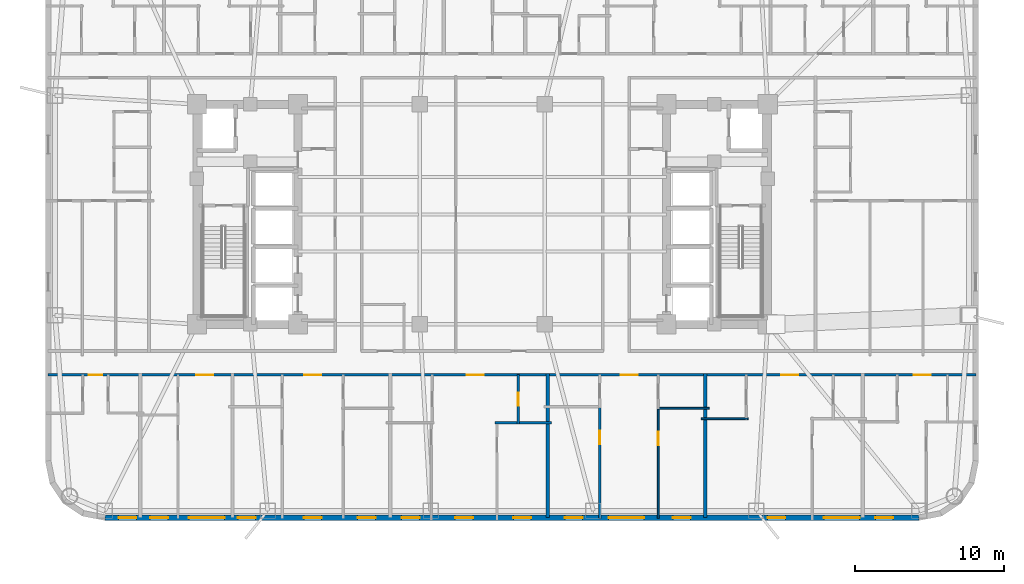
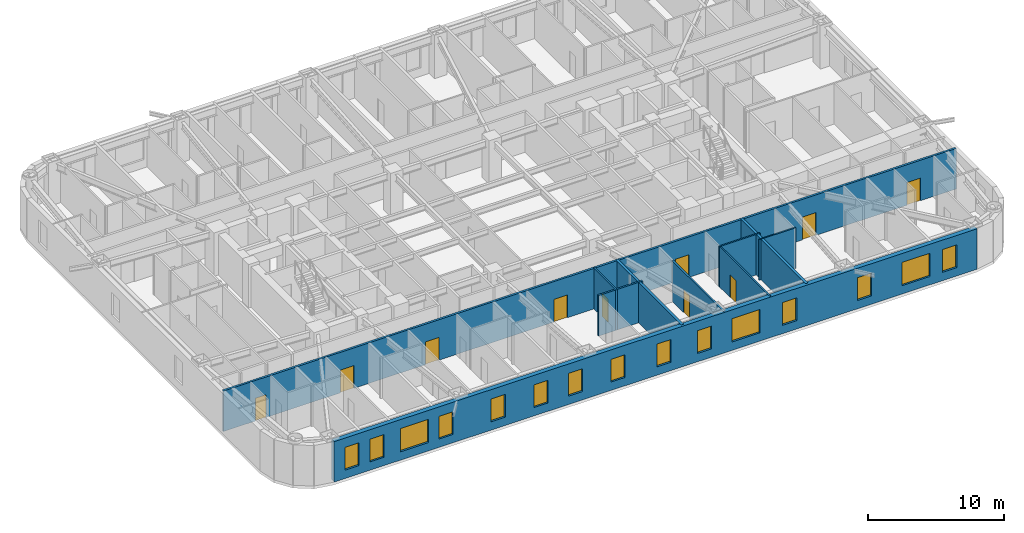
# One storey, part 5 of 12: 15 windows, 10 doors, 10 walls, 25 openings.
"""IFC4 building model written with IfcOpenShell, lengths in metres."""

from ifc_helpers import new_model, si_unit, direction, frame, frame_2d, origin, place, context, subcontext, project, spatial, rectangle, extrude, material, layer, layer_set, type_object, element, fill, save


model = new_model("IFC4")

# Units and contexts
model_context = context("Model", 3, precision=1e-05, world=origin(), true_north=direction((0.0, 1.0)))
body_context = subcontext(model_context, "Body", "Model", "MODEL_VIEW")
ifc_project = project(units=[si_unit("LENGTHUNIT", "METRE"), si_unit("AREAUNIT", "SQUARE_METRE"), si_unit("VOLUMEUNIT", "CUBIC_METRE"), si_unit("PLANEANGLEUNIT", "RADIAN"), si_unit("MASSUNIT", "GRAM", prefix="KILO")], contexts=[model_context])

# Site, building, storey
site_placement = place(None, origin())
site = spatial("IfcSite", under=ifc_project, at=site_placement, CompositionType="ELEMENT")
building_placement = place(site_placement, origin())
building = spatial("IfcBuilding", under=site, at=building_placement, Name="Voryun Gate Residences", CompositionType="ELEMENT")
storey_placement = place(building_placement, frame((0.0, 0.0, 109.199951171875)))
storey = spatial("IfcBuildingStorey", under=building, at=storey_placement, Name="L26", CompositionType="ELEMENT", Elevation=109.199951171875)

# Wall, openings, doors
ifc_material_1 = material(Name="Gypsum acoustic fireboard")
ifc_layer_1 = layer(ifc_material_1, 0.179931640625, Name="W_CORR_RATED_180")
ifc_layer_set_1 = layer_set([ifc_layer_1], Name="Gypsum acoustic fireboard")
wall_type_1 = type_object("IfcWallType", Name="W_CORR_RATED_180", PredefinedType="PARTITIONING", material=ifc_layer_set_1)
wall_1_placement = place(storey_placement, frame((-29.2099609375, -10.800048828125, 0.0), z_axis=(0.0, 0.0, 1.0), x_axis=(1.0, 0.0, 0.0)))
wall_1 = element("IfcWall", 1, at=wall_1_placement, inside=storey, type_object=wall_type_1, Name="Partition wall WP-L26-SCORR", PredefinedType="PARTITIONING", context=body_context, shape_type="SweptSolid", body=[
    extrude(rectangle(XDim=62.419921875, YDim=0.179931640625, at=frame_2d((31.2099609375, 0.0))), origin(), (0.0, 0.0, 1.0), 3.650146484375),
])
opening_1_placement = place(wall_1_placement, frame((2.73974609375, 0.0, 0.0)))
opening_1 = element("IfcOpeningElement", 2, at=opening_1_placement, cuts=wall_1, Name="Opening D-INT-2", PredefinedType="OPENING", context=body_context, shape_type="SweptSolid", body=[
    extrude(rectangle(XDim=0.89990234375, YDim=2.050048828125, at=frame_2d((0.449951171875, 1.02490234375))), frame((0.0, 0.099853515625, 0.0), z_axis=(0.0, -1.0, 0.0), x_axis=(1.0, 0.0, 0.0)), (0.0, 0.0, 1.0), 0.199951171875),
])
opening_2_placement = place(wall_1_placement, frame((9.9677734375, 0.0, 0.0)))
opening_2 = element("IfcOpeningElement", 3, at=opening_2_placement, cuts=wall_1, Name="Opening D-UNIT-1", PredefinedType="OPENING", context=body_context, shape_type="SweptSolid", body=[
    extrude(rectangle(XDim=1.14990234375, YDim=2.050048828125, at=frame_2d((0.574951171875, 1.02490234375))), frame((0.0, 0.099853515625, 0.0), z_axis=(0.0, -1.0, 0.0), x_axis=(1.0, 0.0, 0.0)), (0.0, 0.0, 1.0), 0.199951171875),
])
opening_3_placement = place(wall_1_placement, frame((17.227294921875, 0.0, 0.0)))
opening_3 = element("IfcOpeningElement", 4, at=opening_3_placement, cuts=wall_1, Name="Opening D-UNIT-1", PredefinedType="OPENING", context=body_context, shape_type="SweptSolid", body=[
    extrude(rectangle(XDim=1.14990234375, YDim=2.050048828125, at=frame_2d((0.574951171875, 1.02490234375))), frame((0.0, 0.099853515625, 0.0), z_axis=(0.0, -1.0, 0.0), x_axis=(1.0, 0.0, 0.0)), (0.0, 0.0, 1.0), 0.199951171875),
])
opening_4_placement = place(wall_1_placement, frame((28.156982421875, 0.0, 0.0)))
opening_4 = element("IfcOpeningElement", 5, at=opening_4_placement, cuts=wall_1, Name="Opening D-UNIT-1", PredefinedType="OPENING", context=body_context, shape_type="SweptSolid", body=[
    extrude(rectangle(XDim=1.14990234375, YDim=2.050048828125, at=frame_2d((0.574951171875, 1.02490234375))), frame((0.0, 0.099853515625, 0.0), z_axis=(0.0, -1.0, 0.0), x_axis=(1.0, 0.0, 0.0)), (0.0, 0.0, 1.0), 0.199951171875),
])
opening_5_placement = place(wall_1_placement, frame((38.512451171875, 0.0, 0.0)))
opening_5 = element("IfcOpeningElement", 6, at=opening_5_placement, cuts=wall_1, Name="Opening D-UNIT-1", PredefinedType="OPENING", context=body_context, shape_type="SweptSolid", body=[
    extrude(rectangle(XDim=1.14990234375, YDim=2.050048828125, at=frame_2d((0.574951171875, 1.02490234375))), frame((0.0, 0.099853515625, 0.0), z_axis=(0.0, -1.0, 0.0), x_axis=(1.0, 0.0, 0.0)), (0.0, 0.0, 1.0), 0.199951171875),
])
opening_6_placement = place(wall_1_placement, frame((49.329833984375, 0.0, 0.0)))
opening_6 = element("IfcOpeningElement", 7, at=opening_6_placement, cuts=wall_1, Name="Opening D-UNIT-1", PredefinedType="OPENING", context=body_context, shape_type="SweptSolid", body=[
    extrude(rectangle(XDim=1.14990234375, YDim=2.050048828125, at=frame_2d((0.574951171875, 1.02490234375))), frame((0.0, 0.099853515625, 0.0), z_axis=(0.0, -1.0, 0.0), x_axis=(1.0, 0.0, 0.0)), (0.0, 0.0, 1.0), 0.199951171875),
])
opening_7_placement = place(wall_1_placement, frame((58.237060546875, 0.0, 0.0)))
opening_7 = element("IfcOpeningElement", 8, at=opening_7_placement, cuts=wall_1, Name="Opening D-UNIT-1", PredefinedType="OPENING", context=body_context, shape_type="SweptSolid", body=[
    extrude(rectangle(XDim=1.14990234375, YDim=2.050048828125, at=frame_2d((0.574951171875, 1.02490234375))), frame((0.0, 0.099853515625, 0.0), z_axis=(0.0, -1.0, 0.0), x_axis=(1.0, 0.0, 0.0)), (0.0, 0.0, 1.0), 0.199951171875),
])
ifc_material_2 = material(Name="Architectural oak veneer")
door_type_1 = type_object("IfcDoorType", Name="DR_INT_BATH_900", OperationType="NOTDEFINED", PredefinedType="DOOR", material=ifc_material_2)
door_1_placement = place(opening_1_placement, origin())
door_1 = element("IfcDoor", 9, at=door_1_placement, inside=storey, type_object=door_type_1, Name="Door DR-L26-SENT-1", OperationType="SINGLE_SWING_RIGHT", OverallHeight=2.050048828125, OverallWidth=0.89990234375, PredefinedType="DOOR", context=body_context, shape_type="SweptSolid", body=[
    extrude(rectangle(XDim=0.89990234375, YDim=2.050048828125, at=frame_2d((0.449951171875, 1.02490234375))), frame((0.0, 0.02490234375, 0.0), z_axis=(0.0, -1.0, 0.0), x_axis=(1.0, 0.0, 0.0)), (0.0, 0.0, 1.0), 0.050048828125),
])
fill(opening_1, door_1)
ifc_material_3 = material(Name="Armoured timber-clad fire door", Category="wood")
door_type_2 = type_object("IfcDoorType", Name="DR_UNIT_ENTRY_1150", OperationType="NOTDEFINED", PredefinedType="DOOR", material=ifc_material_3)
door_2_placement = place(opening_2_placement, origin())
door_2 = element("IfcDoor", 10, at=door_2_placement, inside=storey, type_object=door_type_2, Name="Door DR-L26-SENT-2", OperationType="SINGLE_SWING_LEFT", OverallHeight=2.050048828125, OverallWidth=1.14990234375, PredefinedType="DOOR", context=body_context, shape_type="SweptSolid", body=[
    extrude(rectangle(XDim=1.14990234375, YDim=2.050048828125, at=frame_2d((0.574951171875, 1.02490234375))), frame((0.0, 0.02490234375, 0.0), z_axis=(0.0, -1.0, 0.0), x_axis=(1.0, 0.0, 0.0)), (0.0, 0.0, 1.0), 0.050048828125),
])
fill(opening_2, door_2)
door_3_placement = place(opening_3_placement, origin())
door_3 = element("IfcDoor", 11, at=door_3_placement, inside=storey, type_object=door_type_2, Name="Door DR-L26-SENT-3", OperationType="SINGLE_SWING_RIGHT", OverallHeight=2.050048828125, OverallWidth=1.14990234375, PredefinedType="DOOR", context=body_context, shape_type="SweptSolid", body=[
    extrude(rectangle(XDim=1.14990234375, YDim=2.050048828125, at=frame_2d((0.574951171875, 1.02490234375))), frame((0.0, 0.02490234375, 0.0), z_axis=(0.0, -1.0, 0.0), x_axis=(1.0, 0.0, 0.0)), (0.0, 0.0, 1.0), 0.050048828125),
])
fill(opening_3, door_3)
door_4_placement = place(opening_4_placement, origin())
door_4 = element("IfcDoor", 12, at=door_4_placement, inside=storey, type_object=door_type_2, Name="Door DR-L26-SENT-4", OperationType="SINGLE_SWING_LEFT", OverallHeight=2.050048828125, OverallWidth=1.14990234375, PredefinedType="DOOR", context=body_context, shape_type="SweptSolid", body=[
    extrude(rectangle(XDim=1.14990234375, YDim=2.050048828125, at=frame_2d((0.574951171875, 1.02490234375))), frame((0.0, 0.02490234375, 0.0), z_axis=(0.0, -1.0, 0.0), x_axis=(1.0, 0.0, 0.0)), (0.0, 0.0, 1.0), 0.050048828125),
])
fill(opening_4, door_4)
door_5_placement = place(opening_5_placement, origin())
door_5 = element("IfcDoor", 13, at=door_5_placement, inside=storey, type_object=door_type_2, Name="Door DR-L26-SENT-5", OperationType="SINGLE_SWING_RIGHT", OverallHeight=2.050048828125, OverallWidth=1.14990234375, PredefinedType="DOOR", context=body_context, shape_type="SweptSolid", body=[
    extrude(rectangle(XDim=1.14990234375, YDim=2.050048828125, at=frame_2d((0.574951171875, 1.02490234375))), frame((0.0, 0.02490234375, 0.0), z_axis=(0.0, -1.0, 0.0), x_axis=(1.0, 0.0, 0.0)), (0.0, 0.0, 1.0), 0.050048828125),
])
fill(opening_5, door_5)
door_6_placement = place(opening_6_placement, origin())
door_6 = element("IfcDoor", 14, at=door_6_placement, inside=storey, type_object=door_type_2, Name="Door DR-L26-SENT-6", OperationType="SINGLE_SWING_LEFT", OverallHeight=2.050048828125, OverallWidth=1.14990234375, PredefinedType="DOOR", context=body_context, shape_type="SweptSolid", body=[
    extrude(rectangle(XDim=1.14990234375, YDim=2.050048828125, at=frame_2d((0.574951171875, 1.02490234375))), frame((0.0, 0.02490234375, 0.0), z_axis=(0.0, -1.0, 0.0), x_axis=(1.0, 0.0, 0.0)), (0.0, 0.0, 1.0), 0.050048828125),
])
fill(opening_6, door_6)
door_7_placement = place(opening_7_placement, origin())
door_7 = element("IfcDoor", 15, at=door_7_placement, inside=storey, type_object=door_type_2, Name="Door DR-L26-SENT-7", OperationType="SINGLE_SWING_RIGHT", OverallHeight=2.050048828125, OverallWidth=1.14990234375, PredefinedType="DOOR", context=body_context, shape_type="SweptSolid", body=[
    extrude(rectangle(XDim=1.14990234375, YDim=2.050048828125, at=frame_2d((0.574951171875, 1.02490234375))), frame((0.0, 0.02490234375, 0.0), z_axis=(0.0, -1.0, 0.0), x_axis=(1.0, 0.0, 0.0)), (0.0, 0.0, 1.0), 0.050048828125),
])
fill(opening_7, door_7)

# Wall, openings, windows
ifc_material_4 = material(Name="Granite masonry", Category="masonry")
ifc_layer_2 = layer(ifc_material_4, 0.3798828125, Name="W_EXT_GRANITE_380")
ifc_layer_set_2 = layer_set([ifc_layer_2], Name="Granite masonry")
wall_type_2 = type_object("IfcWallType", Name="W_EXT_GRANITE_380", PredefinedType="ELEMENTEDWALL", material=ifc_layer_set_2)
wall_2_placement = place(storey_placement, frame((29.38134765625, -20.409912109375, 0.0), z_axis=(0.0, 0.0, 1.0), x_axis=(-1.0, 0.0, 0.0)))
wall_2 = element("IfcWall", 16, at=wall_2_placement, inside=storey, type_object=wall_type_2, Name="Exterior wall WEXT-L26-01", PredefinedType="ELEMENTEDWALL", context=body_context, shape_type="SweptSolid", body=[
    extrude(rectangle(XDim=54.7626953125, YDim=0.3798828125, at=frame_2d((27.38134765625, 0.0))), origin(), (0.0, 0.0, 1.0), 3.650146484375),
])
opening_8_placement = place(wall_2_placement, frame((3.995361328125, 0.0, 0.75)))
opening_8 = element("IfcOpeningElement", 17, at=opening_8_placement, cuts=wall_2, Name="Opening WN2", PredefinedType="OPENING", context=body_context, shape_type="SweptSolid", body=[
    extrude(rectangle(XDim=2.39990234375, YDim=2.10009765625, at=frame_2d((1.199951171875, 1.050048828125))), frame((0.0, 0.199951171875, 0.0), z_axis=(0.0, -1.0, 0.0), x_axis=(1.0, 0.0, 0.0)), (0.0, 0.0, 1.0), 0.39990234375),
])
opening_9_placement = place(wall_2_placement, frame((18.486083984375, 0.0, 0.75)))
opening_9 = element("IfcOpeningElement", 18, at=opening_9_placement, cuts=wall_2, Name="Opening WN2", PredefinedType="OPENING", context=body_context, shape_type="SweptSolid", body=[
    extrude(rectangle(XDim=2.39990234375, YDim=2.10009765625, at=frame_2d((1.199951171875, 1.050048828125))), frame((0.0, 0.199951171875, 0.0), z_axis=(0.0, -1.0, 0.0), x_axis=(1.0, 0.0, 0.0)), (0.0, 0.0, 1.0), 0.39990234375),
])
opening_10_placement = place(wall_2_placement, frame((46.71728515625, 0.0, 0.75)))
opening_10 = element("IfcOpeningElement", 19, at=opening_10_placement, cuts=wall_2, Name="Opening WN2", PredefinedType="OPENING", context=body_context, shape_type="SweptSolid", body=[
    extrude(rectangle(XDim=2.39990234375, YDim=2.10009765625, at=frame_2d((1.199951171875, 1.050048828125))), frame((0.0, 0.199951171875, 0.0), z_axis=(0.0, -1.0, 0.0), x_axis=(1.0, 0.0, 0.0)), (0.0, 0.0, 1.0), 0.39990234375),
])
opening_11_placement = place(wall_2_placement, frame((52.6513671875, 0.0, 0.75)))
opening_11 = element("IfcOpeningElement", 20, at=opening_11_placement, cuts=wall_2, Name="Opening WN6", PredefinedType="OPENING", context=body_context, shape_type="SweptSolid", body=[
    extrude(rectangle(XDim=1.199951171875, YDim=2.050048828125, at=frame_2d((0.60009765625, 1.02490234375))), frame((0.0, 0.199951171875, 0.0), z_axis=(0.0, -1.0, 0.0), x_axis=(1.0, 0.0, 0.0)), (0.0, 0.0, 1.0), 0.39990234375),
])
opening_12_placement = place(wall_2_placement, frame((50.521240234375, 0.0, 0.75)))
opening_12 = element("IfcOpeningElement", 21, at=opening_12_placement, cuts=wall_2, Name="Opening WN6", PredefinedType="OPENING", context=body_context, shape_type="SweptSolid", body=[
    extrude(rectangle(XDim=1.199951171875, YDim=2.050048828125, at=frame_2d((0.60009765625, 1.02490234375))), frame((0.0, 0.199951171875, 0.0), z_axis=(0.0, -1.0, 0.0), x_axis=(1.0, 0.0, 0.0)), (0.0, 0.0, 1.0), 0.39990234375),
])
opening_13_placement = place(wall_2_placement, frame((40.19140625, 0.0, 0.75)))
opening_13 = element("IfcOpeningElement", 22, at=opening_13_placement, cuts=wall_2, Name="Opening WN6", PredefinedType="OPENING", context=body_context, shape_type="SweptSolid", body=[
    extrude(rectangle(XDim=1.199951171875, YDim=2.050048828125, at=frame_2d((0.60009765625, 1.02490234375))), frame((0.0, 0.199951171875, 0.0), z_axis=(0.0, -1.0, 0.0), x_axis=(1.0, 0.0, 0.0)), (0.0, 0.0, 1.0), 0.39990234375),
])
opening_14_placement = place(wall_2_placement, frame((44.63134765625, 0.0, 0.75)))
opening_14 = element("IfcOpeningElement", 23, at=opening_14_placement, cuts=wall_2, Name="Opening WN6", PredefinedType="OPENING", context=body_context, shape_type="SweptSolid", body=[
    extrude(rectangle(XDim=1.199951171875, YDim=2.050048828125, at=frame_2d((0.60009765625, 1.02490234375))), frame((0.0, 0.199951171875, 0.0), z_axis=(0.0, -1.0, 0.0), x_axis=(1.0, 0.0, 0.0)), (0.0, 0.0, 1.0), 0.39990234375),
])
opening_15_placement = place(wall_2_placement, frame((36.561279296875, 0.0, 0.75)))
opening_15 = element("IfcOpeningElement", 24, at=opening_15_placement, cuts=wall_2, Name="Opening WN6", PredefinedType="OPENING", context=body_context, shape_type="SweptSolid", body=[
    extrude(rectangle(XDim=1.199951171875, YDim=2.050048828125, at=frame_2d((0.60009765625, 1.02490234375))), frame((0.0, 0.199951171875, 0.0), z_axis=(0.0, -1.0, 0.0), x_axis=(1.0, 0.0, 0.0)), (0.0, 0.0, 1.0), 0.39990234375),
])
opening_16_placement = place(wall_2_placement, frame((30.00439453125, 0.0, 0.75)))
opening_16 = element("IfcOpeningElement", 25, at=opening_16_placement, cuts=wall_2, Name="Opening WN6", PredefinedType="OPENING", context=body_context, shape_type="SweptSolid", body=[
    extrude(rectangle(XDim=1.199951171875, YDim=2.050048828125, at=frame_2d((0.60009765625, 1.02490234375))), frame((0.0, 0.199951171875, 0.0), z_axis=(0.0, -1.0, 0.0), x_axis=(1.0, 0.0, 0.0)), (0.0, 0.0, 1.0), 0.39990234375),
])
opening_17_placement = place(wall_2_placement, frame((33.599365234375, 0.0, 0.75)))
opening_17 = element("IfcOpeningElement", 26, at=opening_17_placement, cuts=wall_2, Name="Opening WN6", PredefinedType="OPENING", context=body_context, shape_type="SweptSolid", body=[
    extrude(rectangle(XDim=1.199951171875, YDim=2.050048828125, at=frame_2d((0.60009765625, 1.02490234375))), frame((0.0, 0.199951171875, 0.0), z_axis=(0.0, -1.0, 0.0), x_axis=(1.0, 0.0, 0.0)), (0.0, 0.0, 1.0), 0.39990234375),
])
opening_18_placement = place(wall_2_placement, frame((26.086181640625, 0.0, 0.75)))
opening_18 = element("IfcOpeningElement", 27, at=opening_18_placement, cuts=wall_2, Name="Opening WN6", PredefinedType="OPENING", context=body_context, shape_type="SweptSolid", body=[
    extrude(rectangle(XDim=1.199951171875, YDim=2.050048828125, at=frame_2d((0.60009765625, 1.02490234375))), frame((0.0, 0.199951171875, 0.0), z_axis=(0.0, -1.0, 0.0), x_axis=(1.0, 0.0, 0.0)), (0.0, 0.0, 1.0), 0.39990234375),
])
opening_19_placement = place(wall_2_placement, frame((22.626220703125, 0.0, 0.75)))
opening_19 = element("IfcOpeningElement", 28, at=opening_19_placement, cuts=wall_2, Name="Opening WN6", PredefinedType="OPENING", context=body_context, shape_type="SweptSolid", body=[
    extrude(rectangle(XDim=1.199951171875, YDim=2.050048828125, at=frame_2d((0.60009765625, 1.02490234375))), frame((0.0, 0.199951171875, 0.0), z_axis=(0.0, -1.0, 0.0), x_axis=(1.0, 0.0, 0.0)), (0.0, 0.0, 1.0), 0.39990234375),
])
opening_20_placement = place(wall_2_placement, frame((15.361328125, 0.0, 0.75)))
opening_20 = element("IfcOpeningElement", 29, at=opening_20_placement, cuts=wall_2, Name="Opening WN6", PredefinedType="OPENING", context=body_context, shape_type="SweptSolid", body=[
    extrude(rectangle(XDim=1.199951171875, YDim=2.050048828125, at=frame_2d((0.60009765625, 1.02490234375))), frame((0.0, 0.199951171875, 0.0), z_axis=(0.0, -1.0, 0.0), x_axis=(1.0, 0.0, 0.0)), (0.0, 0.0, 1.0), 0.39990234375),
])
opening_21_placement = place(wall_2_placement, frame((8.986328125, 0.0, 0.75)))
opening_21 = element("IfcOpeningElement", 30, at=opening_21_placement, cuts=wall_2, Name="Opening WN6", PredefinedType="OPENING", context=body_context, shape_type="SweptSolid", body=[
    extrude(rectangle(XDim=1.199951171875, YDim=2.050048828125, at=frame_2d((0.60009765625, 1.02490234375))), frame((0.0, 0.199951171875, 0.0), z_axis=(0.0, -1.0, 0.0), x_axis=(1.0, 0.0, 0.0)), (0.0, 0.0, 1.0), 0.39990234375),
])
opening_22_placement = place(wall_2_placement, frame((1.735595703125, 0.0, 0.75)))
opening_22 = element("IfcOpeningElement", 31, at=opening_22_placement, cuts=wall_2, Name="Opening WN6", PredefinedType="OPENING", context=body_context, shape_type="SweptSolid", body=[
    extrude(rectangle(XDim=1.199951171875, YDim=2.050048828125, at=frame_2d((0.60009765625, 1.02490234375))), frame((0.0, 0.199951171875, 0.0), z_axis=(0.0, -1.0, 0.0), x_axis=(1.0, 0.0, 0.0)), (0.0, 0.0, 1.0), 0.39990234375),
])
ifc_material_5 = material(Name="Laminated low-E glass", Category="glass")
window_type_1 = type_object("IfcWindowType", Name="WN_POD_SLOT_1200", PartitioningType="SINGLE_PANEL", PredefinedType="WINDOW", material=ifc_material_5)
window_1_placement = place(opening_11_placement, origin())
window_1 = element("IfcWindow", 32, at=window_1_placement, inside=storey, type_object=window_type_1, Name="Window WN-L26-DWFIX-17", OverallHeight=2.050048828125, OverallWidth=1.199951171875, PartitioningType="SINGLE_PANEL", PredefinedType="WINDOW", context=body_context, shape_type="SweptSolid", body=[
    extrude(rectangle(XDim=1.199951171875, YDim=2.050048828125, at=frame_2d((0.60009765625, 1.02490234375))), frame((0.0, 0.030029296875, 0.0), z_axis=(0.0, -1.0, 0.0), x_axis=(1.0, 0.0, 0.0)), (0.0, 0.0, 1.0), 0.06005859375),
])
fill(opening_11, window_1)
window_2_placement = place(opening_12_placement, origin())
window_2 = element("IfcWindow", 33, at=window_2_placement, inside=storey, type_object=window_type_1, Name="Window WN-L26-DWFIX-18", OverallHeight=2.050048828125, OverallWidth=1.199951171875, PartitioningType="SINGLE_PANEL", PredefinedType="WINDOW", context=body_context, shape_type="SweptSolid", body=[
    extrude(rectangle(XDim=1.199951171875, YDim=2.050048828125, at=frame_2d((0.60009765625, 1.02490234375))), frame((0.0, 0.030029296875, 0.0), z_axis=(0.0, -1.0, 0.0), x_axis=(1.0, 0.0, 0.0)), (0.0, 0.0, 1.0), 0.06005859375),
])
fill(opening_12, window_2)
window_3_placement = place(opening_13_placement, origin())
window_3 = element("IfcWindow", 34, at=window_3_placement, inside=storey, type_object=window_type_1, Name="Window WN-L26-DWFIX-19", OverallHeight=2.050048828125, OverallWidth=1.199951171875, PartitioningType="SINGLE_PANEL", PredefinedType="WINDOW", context=body_context, shape_type="SweptSolid", body=[
    extrude(rectangle(XDim=1.199951171875, YDim=2.050048828125, at=frame_2d((0.60009765625, 1.02490234375))), frame((0.0, 0.030029296875, 0.0), z_axis=(0.0, -1.0, 0.0), x_axis=(1.0, 0.0, 0.0)), (0.0, 0.0, 1.0), 0.06005859375),
])
fill(opening_13, window_3)
window_4_placement = place(opening_14_placement, origin())
window_4 = element("IfcWindow", 35, at=window_4_placement, inside=storey, type_object=window_type_1, Name="Window WN-L26-DWFIX-20", OverallHeight=2.050048828125, OverallWidth=1.199951171875, PartitioningType="SINGLE_PANEL", PredefinedType="WINDOW", context=body_context, shape_type="SweptSolid", body=[
    extrude(rectangle(XDim=1.199951171875, YDim=2.050048828125, at=frame_2d((0.60009765625, 1.02490234375))), frame((0.0, 0.030029296875, 0.0), z_axis=(0.0, -1.0, 0.0), x_axis=(1.0, 0.0, 0.0)), (0.0, 0.0, 1.0), 0.06005859375),
])
fill(opening_14, window_4)
window_5_placement = place(opening_15_placement, origin())
window_5 = element("IfcWindow", 36, at=window_5_placement, inside=storey, type_object=window_type_1, Name="Window WN-L26-DWFIX-21", OverallHeight=2.050048828125, OverallWidth=1.199951171875, PartitioningType="SINGLE_PANEL", PredefinedType="WINDOW", context=body_context, shape_type="SweptSolid", body=[
    extrude(rectangle(XDim=1.199951171875, YDim=2.050048828125, at=frame_2d((0.60009765625, 1.02490234375))), frame((0.0, 0.030029296875, 0.0), z_axis=(0.0, -1.0, 0.0), x_axis=(1.0, 0.0, 0.0)), (0.0, 0.0, 1.0), 0.06005859375),
])
fill(opening_15, window_5)
window_6_placement = place(opening_16_placement, origin())
window_6 = element("IfcWindow", 37, at=window_6_placement, inside=storey, type_object=window_type_1, Name="Window WN-L26-DWFIX-22", OverallHeight=2.050048828125, OverallWidth=1.199951171875, PartitioningType="SINGLE_PANEL", PredefinedType="WINDOW", context=body_context, shape_type="SweptSolid", body=[
    extrude(rectangle(XDim=1.199951171875, YDim=2.050048828125, at=frame_2d((0.60009765625, 1.02490234375))), frame((0.0, 0.030029296875, 0.0), z_axis=(0.0, -1.0, 0.0), x_axis=(1.0, 0.0, 0.0)), (0.0, 0.0, 1.0), 0.06005859375),
])
fill(opening_16, window_6)
window_7_placement = place(opening_17_placement, origin())
window_7 = element("IfcWindow", 38, at=window_7_placement, inside=storey, type_object=window_type_1, Name="Window WN-L26-DWFIX-23", OverallHeight=2.050048828125, OverallWidth=1.199951171875, PartitioningType="SINGLE_PANEL", PredefinedType="WINDOW", context=body_context, shape_type="SweptSolid", body=[
    extrude(rectangle(XDim=1.199951171875, YDim=2.050048828125, at=frame_2d((0.60009765625, 1.02490234375))), frame((0.0, 0.030029296875, 0.0), z_axis=(0.0, -1.0, 0.0), x_axis=(1.0, 0.0, 0.0)), (0.0, 0.0, 1.0), 0.06005859375),
])
fill(opening_17, window_7)
window_8_placement = place(opening_18_placement, origin())
window_8 = element("IfcWindow", 39, at=window_8_placement, inside=storey, type_object=window_type_1, Name="Window WN-L26-DWFIX-24", OverallHeight=2.050048828125, OverallWidth=1.199951171875, PartitioningType="SINGLE_PANEL", PredefinedType="WINDOW", context=body_context, shape_type="SweptSolid", body=[
    extrude(rectangle(XDim=1.199951171875, YDim=2.050048828125, at=frame_2d((0.60009765625, 1.02490234375))), frame((0.0, 0.030029296875, 0.0), z_axis=(0.0, -1.0, 0.0), x_axis=(1.0, 0.0, 0.0)), (0.0, 0.0, 1.0), 0.06005859375),
])
fill(opening_18, window_8)
window_9_placement = place(opening_19_placement, origin())
window_9 = element("IfcWindow", 40, at=window_9_placement, inside=storey, type_object=window_type_1, Name="Window WN-L26-DWFIX-25", OverallHeight=2.050048828125, OverallWidth=1.199951171875, PartitioningType="SINGLE_PANEL", PredefinedType="WINDOW", context=body_context, shape_type="SweptSolid", body=[
    extrude(rectangle(XDim=1.199951171875, YDim=2.050048828125, at=frame_2d((0.60009765625, 1.02490234375))), frame((0.0, 0.030029296875, 0.0), z_axis=(0.0, -1.0, 0.0), x_axis=(1.0, 0.0, 0.0)), (0.0, 0.0, 1.0), 0.06005859375),
])
fill(opening_19, window_9)
window_10_placement = place(opening_20_placement, origin())
window_10 = element("IfcWindow", 41, at=window_10_placement, inside=storey, type_object=window_type_1, Name="Window WN-L26-DWFIX-26", OverallHeight=2.050048828125, OverallWidth=1.199951171875, PartitioningType="SINGLE_PANEL", PredefinedType="WINDOW", context=body_context, shape_type="SweptSolid", body=[
    extrude(rectangle(XDim=1.199951171875, YDim=2.050048828125, at=frame_2d((0.60009765625, 1.02490234375))), frame((0.0, 0.030029296875, 0.0), z_axis=(0.0, -1.0, 0.0), x_axis=(1.0, 0.0, 0.0)), (0.0, 0.0, 1.0), 0.06005859375),
])
fill(opening_20, window_10)
window_11_placement = place(opening_21_placement, origin())
window_11 = element("IfcWindow", 42, at=window_11_placement, inside=storey, type_object=window_type_1, Name="Window WN-L26-DWFIX-27", OverallHeight=2.050048828125, OverallWidth=1.199951171875, PartitioningType="SINGLE_PANEL", PredefinedType="WINDOW", context=body_context, shape_type="SweptSolid", body=[
    extrude(rectangle(XDim=1.199951171875, YDim=2.050048828125, at=frame_2d((0.60009765625, 1.02490234375))), frame((0.0, 0.030029296875, 0.0), z_axis=(0.0, -1.0, 0.0), x_axis=(1.0, 0.0, 0.0)), (0.0, 0.0, 1.0), 0.06005859375),
])
fill(opening_21, window_11)
window_12_placement = place(opening_22_placement, origin())
window_12 = element("IfcWindow", 43, at=window_12_placement, inside=storey, type_object=window_type_1, Name="Window WN-L26-DWFIX-28", OverallHeight=2.050048828125, OverallWidth=1.199951171875, PartitioningType="SINGLE_PANEL", PredefinedType="WINDOW", context=body_context, shape_type="SweptSolid", body=[
    extrude(rectangle(XDim=1.199951171875, YDim=2.050048828125, at=frame_2d((0.60009765625, 1.02490234375))), frame((0.0, 0.030029296875, 0.0), z_axis=(0.0, -1.0, 0.0), x_axis=(1.0, 0.0, 0.0)), (0.0, 0.0, 1.0), 0.06005859375),
])
fill(opening_22, window_12)
ifc_material_6 = material(Name="Laminated low-E glass", Category="glass")
window_type_2 = type_object("IfcWindowType", Name="WN_RES_WIDE_2400", PartitioningType="SINGLE_PANEL", PredefinedType="WINDOW", material=ifc_material_6)
window_13_placement = place(opening_8_placement, origin())
window_13 = element("IfcWindow", 44, at=window_13_placement, inside=storey, type_object=window_type_2, Name="Window WN-WEXT-L26-01-01", OverallHeight=2.10009765625, OverallWidth=2.39990234375, PartitioningType="SINGLE_PANEL", PredefinedType="WINDOW", context=body_context, shape_type="SweptSolid", body=[
    extrude(rectangle(XDim=2.39990234375, YDim=2.10009765625, at=frame_2d((1.199951171875, 1.050048828125))), frame((0.0, 0.030029296875, 0.0), z_axis=(0.0, -1.0, 0.0), x_axis=(1.0, 0.0, 0.0)), (0.0, 0.0, 1.0), 0.06005859375),
])
fill(opening_8, window_13)
window_14_placement = place(opening_9_placement, origin())
window_14 = element("IfcWindow", 45, at=window_14_placement, inside=storey, type_object=window_type_2, Name="Window WN-WEXT-L26-01-02", OverallHeight=2.10009765625, OverallWidth=2.39990234375, PartitioningType="SINGLE_PANEL", PredefinedType="WINDOW", context=body_context, shape_type="SweptSolid", body=[
    extrude(rectangle(XDim=2.39990234375, YDim=2.10009765625, at=frame_2d((1.199951171875, 1.050048828125))), frame((0.0, 0.030029296875, 0.0), z_axis=(0.0, -1.0, 0.0), x_axis=(1.0, 0.0, 0.0)), (0.0, 0.0, 1.0), 0.06005859375),
])
fill(opening_9, window_14)
window_15_placement = place(opening_10_placement, origin())
window_15 = element("IfcWindow", 46, at=window_15_placement, inside=storey, type_object=window_type_2, Name="Window WN-WEXT-L26-01-04", OverallHeight=2.10009765625, OverallWidth=2.39990234375, PartitioningType="SINGLE_PANEL", PredefinedType="WINDOW", context=body_context, shape_type="SweptSolid", body=[
    extrude(rectangle(XDim=2.39990234375, YDim=2.10009765625, at=frame_2d((1.199951171875, 1.050048828125))), frame((0.0, 0.030029296875, 0.0), z_axis=(0.0, -1.0, 0.0), x_axis=(1.0, 0.0, 0.0)), (0.0, 0.0, 1.0), 0.06005859375),
])
fill(opening_10, window_15)

# Walls
ifc_material_7 = material(Name="Concrete C40/50", Category="concrete")
ifc_layer_3 = layer(ifc_material_7, 0.219970703125, Name="W_PARTY_ACOUSTIC_220")
ifc_layer_set_3 = layer_set([ifc_layer_3], Name="Concrete C40/50")
wall_type_3 = type_object("IfcWallType", Name="W_PARTY_ACOUSTIC_220", PredefinedType="PARTITIONING", material=ifc_layer_set_3)
for number, where, z_axis, x_axis, name in (
    (47, (4.39990234375, -20.409912109375, 0.0), (0.0, 0.0, 1.0), (0.0, 1.0, 0.0), "Partition wall WP-L26-SPTY-4"),
    (48, (15.0, -20.409912109375, 0.0), (0.0, 0.0, 1.0), (0.0, 1.0, 0.0), "Partition wall WP-L26-SPTY-5"),
):
    element("IfcWall", number, at=place(storey_placement, frame(where, z_axis=z_axis, x_axis=x_axis)), inside=storey, type_object=wall_type_3, Name=name, PredefinedType="PARTITIONING", context=body_context, shape_type="SweptSolid", body=[
        extrude(rectangle(XDim=9.68994140625, YDim=0.219970703125, at=frame_2d((4.844970703125, 0.0))), origin(), (0.0, 0.0, 1.0), 3.650146484375),
    ])
ifc_material_8 = material(Name="Gypsum acoustic partition")
ifc_layer_4 = layer(ifc_material_8, 0.125, Name="W_UNIT_PART_125")
ifc_layer_set_4 = layer_set([ifc_layer_4], Name="Gypsum acoustic partition")
wall_type_4 = type_object("IfcWallType", Name="W_UNIT_PART_125", PredefinedType="PARTITIONING", material=ifc_layer_set_4)
wall_3_placement = place(storey_placement, frame((11.760009765625, -13.0400390625, 0.0), z_axis=(0.0, 0.0, 1.0), x_axis=(1.0, 0.0, 0.0)))
element("IfcWall", 49, at=wall_3_placement, inside=storey, type_object=wall_type_4, Name="Partition wall WP-L26-S5-RHY", PredefinedType="PARTITIONING", context=body_context, shape_type="SweptSolid", body=[
    extrude(rectangle(XDim=3.5, YDim=0.125, at=frame_2d((1.75, 0.0))), origin(), (0.0, 0.0, 1.0), 3.650146484375),
])

# Wall, opening, door
wall_4_placement = place(storey_placement, frame((11.840087890625, -20.45751953125, 0.0), z_axis=(0.0, 0.0, 1.0), x_axis=(0.0, 1.0, 0.0)))
wall_4 = element("IfcWall", 50, at=wall_4_placement, inside=storey, type_object=wall_type_4, Name="Partition wall WP-L26-S5-RVX1", PredefinedType="PARTITIONING", context=body_context, shape_type="SweptSolid", body=[
    extrude(rectangle(XDim=7.45751953125, YDim=0.125, at=frame_2d((3.728759765625, 0.0))), origin(), (0.0, 0.0, 1.0), 3.650146484375),
])
opening_23_placement = place(wall_4_placement, frame((4.91943359375, 0.0, 0.0)))
opening_23 = element("IfcOpeningElement", 51, at=opening_23_placement, cuts=wall_4, Name="Opening D-INT-2", PredefinedType="OPENING", context=body_context, shape_type="SweptSolid", body=[
    extrude(rectangle(XDim=0.89990234375, YDim=2.050048828125, at=frame_2d((0.449951171875, 1.02490234375))), frame((0.0, 0.072509765625, 0.0), z_axis=(0.0, -1.0, 0.0), x_axis=(1.0, 0.0, 0.0)), (0.0, 0.0, 1.0), 0.14501953125),
])
door_8_placement = place(opening_23_placement, origin())
door_8 = element("IfcDoor", 52, at=door_8_placement, inside=storey, type_object=door_type_1, Name="Door DR-L26-S5-DB2", OperationType="SINGLE_SWING_RIGHT", OverallHeight=2.050048828125, OverallWidth=0.89990234375, PredefinedType="DOOR", context=body_context, shape_type="SweptSolid", body=[
    extrude(rectangle(XDim=0.89990234375, YDim=2.050048828125, at=frame_2d((0.449951171875, 1.02490234375))), frame((0.0, 0.02490234375, 0.0), z_axis=(0.0, -1.0, 0.0), x_axis=(1.0, 0.0, 0.0)), (0.0, 0.0, 1.0), 0.050048828125),
])
fill(opening_23, door_8)

# Walls
wall_5_placement = place(storey_placement, frame((14.739990234375, -13.7470703125, 0.0), z_axis=(0.0, 0.0, 1.0), x_axis=(1.0, 0.0, 0.0)))
element("IfcWall", 53, at=wall_5_placement, inside=storey, type_object=wall_type_4, Name="Partition wall WP-L26-S6-HZK", PredefinedType="PARTITIONING", context=body_context, shape_type="SweptSolid", body=[
    extrude(rectangle(XDim=3.14404296875, YDim=0.125, at=frame_2d((1.572021484375, 0.0))), origin(), (0.0, 0.0, 1.0), 3.650146484375),
])
ifc_material_9 = material(Name="Gypsum moisture-resistant partition")
ifc_layer_5 = layer(ifc_material_9, 0.14990234375, Name="W_WET_PLUMB_150")
ifc_layer_set_5 = layer_set([ifc_layer_5], Name="Gypsum moisture-resistant partition")
wall_type_5 = type_object("IfcWallType", Name="W_WET_PLUMB_150", PredefinedType="PLUMBINGWALL", material=ifc_layer_set_5)
wall_6_placement = place(storey_placement, frame((0.8701171875, -14.02001953125, 0.0), z_axis=(0.0, 0.0, 1.0), x_axis=(1.0, 0.0, 0.0)))
element("IfcWall", 54, at=wall_6_placement, inside=storey, type_object=wall_type_5, Name="Partition wall WP-L26-S4-HZB", PredefinedType="PLUMBINGWALL", context=body_context, shape_type="SweptSolid", body=[
    extrude(rectangle(XDim=3.789794921875, YDim=0.14990234375, at=frame_2d((1.89501953125, 0.0))), origin(), (0.0, 0.0, 1.0), 3.650146484375),
])

# Wall, opening, door
wall_7_placement = place(storey_placement, frame((2.419921875, -14.10009765625, 0.0), z_axis=(0.0, 0.0, 1.0), x_axis=(0.0, 1.0, 0.0)))
wall_7 = element("IfcWall", 55, at=wall_7_placement, inside=storey, type_object=wall_type_5, Name="Partition wall WP-L26-S4-IVB", PredefinedType="PLUMBINGWALL", context=body_context, shape_type="SweptSolid", body=[
    extrude(rectangle(XDim=3.320068359375, YDim=0.14990234375, at=frame_2d((1.66015625, 0.0))), origin(), (0.0, 0.0, 1.0), 3.650146484375),
])
opening_24_placement = place(wall_7_placement, frame((1.2099609375, 0.0, 0.0)))
opening_24 = element("IfcOpeningElement", 56, at=opening_24_placement, cuts=wall_7, Name="Opening D-INT-2", PredefinedType="OPENING", context=body_context, shape_type="SweptSolid", body=[
    extrude(rectangle(XDim=0.89990234375, YDim=2.050048828125, at=frame_2d((0.449951171875, 1.02490234375))), frame((0.0, 0.0849609375, 0.0), z_axis=(0.0, -1.0, 0.0), x_axis=(1.0, 0.0, 0.0)), (0.0, 0.0, 1.0), 0.169921875),
])
door_9_placement = place(opening_24_placement, origin())
door_9 = element("IfcDoor", 57, at=door_9_placement, inside=storey, type_object=door_type_1, Name="Door DR-L26-S4-DB", OperationType="SINGLE_SWING_RIGHT", OverallHeight=2.050048828125, OverallWidth=0.89990234375, PredefinedType="DOOR", context=body_context, shape_type="SweptSolid", body=[
    extrude(rectangle(XDim=0.89990234375, YDim=2.050048828125, at=frame_2d((0.449951171875, 1.02490234375))), frame((0.0, 0.02490234375, 0.0), z_axis=(0.0, -1.0, 0.0), x_axis=(1.0, 0.0, 0.0)), (0.0, 0.0, 1.0), 0.050048828125),
])
fill(opening_24, door_9)

wall_8_placement = place(storey_placement, frame((7.909912109375, -20.45751953125, 0.0), z_axis=(0.0, 0.0, 1.0), x_axis=(0.0, 1.0, 0.0)))
wall_8 = element("IfcWall", 58, at=wall_8_placement, inside=storey, type_object=wall_type_5, Name="Partition wall WP-L26-S5-LVX1", PredefinedType="PLUMBINGWALL", context=body_context, shape_type="SweptSolid", body=[
    extrude(rectangle(XDim=7.5576171875, YDim=0.14990234375, at=frame_2d((3.77880859375, 0.0))), origin(), (0.0, 0.0, 1.0), 3.650146484375),
])
opening_25_placement = place(wall_8_placement, frame((4.991455078125, 0.0, 0.0)))
opening_25 = element("IfcOpeningElement", 59, at=opening_25_placement, cuts=wall_8, Name="Opening D-INT-2", PredefinedType="OPENING", context=body_context, shape_type="SweptSolid", body=[
    extrude(rectangle(XDim=0.89990234375, YDim=2.050048828125, at=frame_2d((0.449951171875, 1.02490234375))), frame((0.0, 0.0849609375, 0.0), z_axis=(0.0, -1.0, 0.0), x_axis=(1.0, 0.0, 0.0)), (0.0, 0.0, 1.0), 0.169921875),
])
door_10_placement = place(opening_25_placement, origin())
door_10 = element("IfcDoor", 60, at=door_10_placement, inside=storey, type_object=door_type_1, Name="Door DR-L26-S5-DMB", OperationType="SINGLE_SWING_LEFT", OverallHeight=2.050048828125, OverallWidth=0.89990234375, PredefinedType="DOOR", context=body_context, shape_type="SweptSolid", body=[
    extrude(rectangle(XDim=0.89990234375, YDim=2.050048828125, at=frame_2d((0.449951171875, 1.02490234375))), frame((0.0, 0.02490234375, 0.0), z_axis=(0.0, -1.0, 0.0), x_axis=(1.0, 0.0, 0.0)), (0.0, 0.0, 1.0), 0.050048828125),
])
fill(opening_25, door_10)

save(model, "model.ifc")
